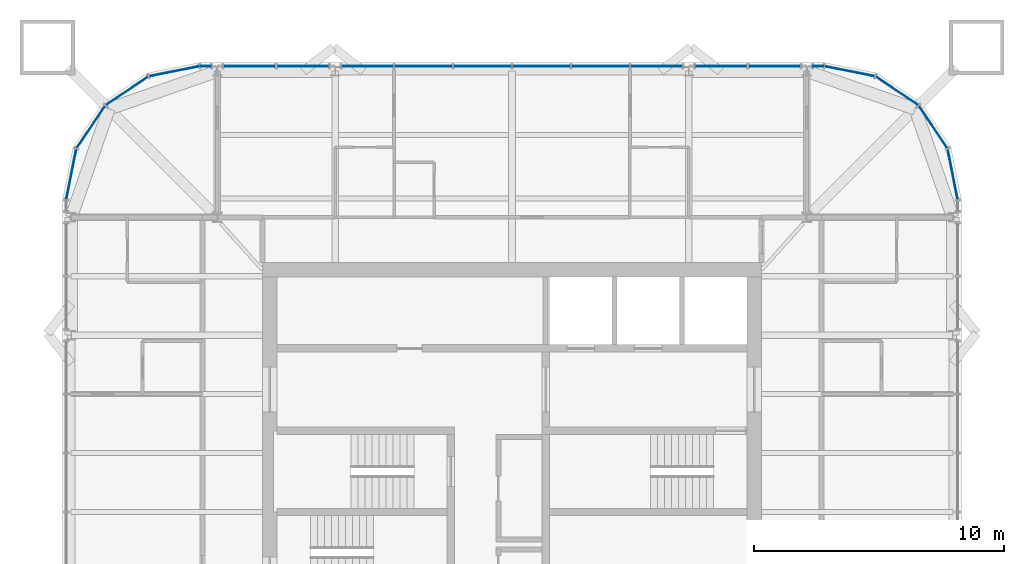
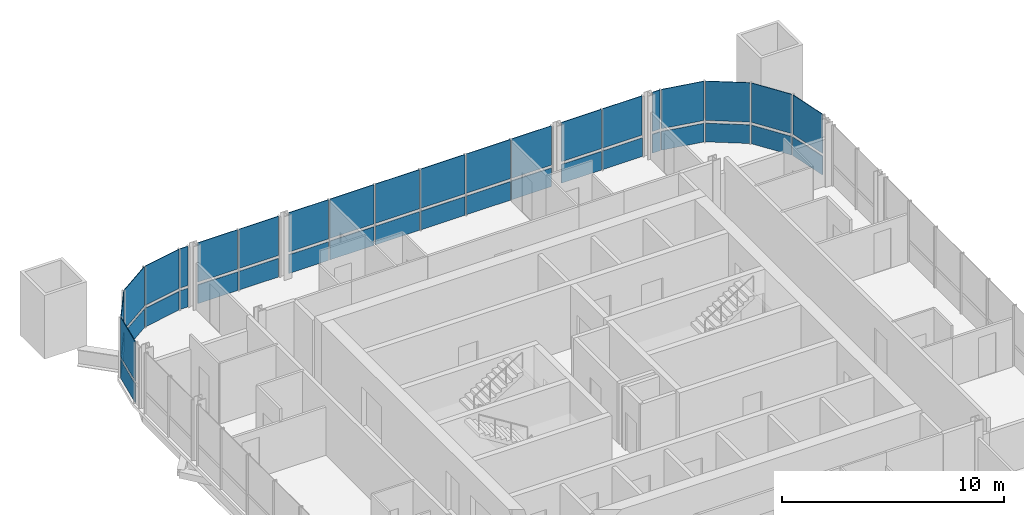
# One storey, part 12 of 17: 40 plates, 7 elements without a shape of their own.
"""IFC4 building model written with IfcOpenShell, lengths in metres."""

from ifc_helpers import new_model, si_unit, direction, frame, origin, origin_2d, place, context, subcontext, project, spatial, rectangle, extrude, material, layer, layer_set, type_object, element, aggregate, save


model = new_model("IFC4")

# Units and contexts
model_context = context("Model", 3, precision=1e-05, world=origin(), true_north=direction((0.0, 1.0)))
body_context = subcontext(model_context, "Body", "Model", "MODEL_VIEW")
ifc_project = project(units=[si_unit("LENGTHUNIT", "METRE"), si_unit("AREAUNIT", "SQUARE_METRE"), si_unit("VOLUMEUNIT", "CUBIC_METRE"), si_unit("PLANEANGLEUNIT", "RADIAN"), si_unit("MASSUNIT", "GRAM", prefix="KILO")], contexts=[model_context])

# Site, building, storey
site_placement = place(None, origin())
site = spatial("IfcSite", under=ifc_project, at=site_placement, CompositionType="ELEMENT")
building_placement = place(site_placement, origin())
building = spatial("IfcBuilding", under=site, at=building_placement, Name="Turquesa Mirador Hotel Tower", CompositionType="ELEMENT")
storey_placement = place(building_placement, frame((0.0, 0.0, 258.199951171875)))
storey = spatial("IfcBuildingStorey", under=building, at=storey_placement, Name="L70", CompositionType="ELEMENT", Elevation=258.199951171875)

# Curtain wall, plates
ifc_material_1 = material(Name="Aluminium extrusion", Category="aluminium")
curtain_wall_type = type_object("IfcCurtainWallType", Name="CW-4 SUITE FRITTED CURTAIN WALL", PredefinedType="USERDEFINED", material=ifc_material_1)
curtain_wall_1_placement = place(storey_placement, origin())
curtain_wall_1 = element("IfcCurtainWall", 1, at=curtain_wall_1_placement, inside=storey, type_object=curtain_wall_type, Name="CW-4 SUITE FRITTED CURTAIN WALL L70", ObjectType="CURTAIN WALL", PredefinedType="USERDEFINED")
ifc_material_2 = material(Name="Ceramic-printed spandrel glass on an insulated back pan", Category="glass")
ifc_layer_1 = layer(ifc_material_2, 0.050048828125)
ifc_layer_set_1 = layer_set([ifc_layer_1], Name="CW PANEL SPANDREL CERAMIC")
plate_type_1 = type_object("IfcPlateType", Name="CW PANEL SPANDREL CERAMIC", PredefinedType="CURTAIN_PANEL", material=ifc_layer_set_1)
plate_1_placement = place(storey_placement, frame((72.646484375, 58.523681640625, 0.0), z_axis=(0.0, 0.0, 1.0), x_axis=(-0.195090585221, 0.980785228048, 0.0)))
plate_1 = element("IfcPlate", 2, at=plate_1_placement, type_object=plate_type_1, Name="Panel", PredefinedType="CURTAIN_PANEL", context=body_context, shape_type="SweptSolid", body=[
    extrude(rectangle(XDim=2.0224609375, YDim=0.050048828125, at=origin_2d()), origin(), (0.0, 0.0, 1.0), 1.02490234375),
])
plate_2_placement = place(storey_placement, frame((71.86279296875, 60.415283203125, 0.0), z_axis=(0.0, 0.0, 1.0), x_axis=(-0.555570141754, 0.831469673284, 0.0)))
plate_2 = element("IfcPlate", 3, at=plate_2_placement, type_object=plate_type_1, Name="Panel", PredefinedType="CURTAIN_PANEL", context=body_context, shape_type="SweptSolid", body=[
    extrude(rectangle(XDim=2.0224609375, YDim=0.050048828125, at=origin_2d()), origin(), (0.0, 0.0, 1.0), 1.02490234375),
])
plate_3_placement = place(storey_placement, frame((70.415283203125, 61.86279296875, 0.0), z_axis=(0.0, 0.0, 1.0), x_axis=(-0.831469673284, 0.555570141754, 0.0)))
plate_3 = element("IfcPlate", 4, at=plate_3_placement, type_object=plate_type_1, Name="Panel", PredefinedType="CURTAIN_PANEL", context=body_context, shape_type="SweptSolid", body=[
    extrude(rectangle(XDim=2.0224609375, YDim=0.050048828125, at=origin_2d()), origin(), (0.0, 0.0, 1.0), 1.02490234375),
])
plate_4_placement = place(storey_placement, frame((68.523681640625, 62.646484375, 0.0), z_axis=(0.0, 0.0, 1.0), x_axis=(-0.980785228048, 0.195090585221, 0.0)))
plate_4 = element("IfcPlate", 5, at=plate_4_placement, type_object=plate_type_1, Name="Panel", PredefinedType="CURTAIN_PANEL", context=body_context, shape_type="SweptSolid", body=[
    extrude(rectangle(XDim=2.0224609375, YDim=0.050048828125, at=origin_2d()), origin(), (0.0, 0.0, 1.0), 1.02490234375),
])

# Curtain wall, plate
curtain_wall_2_placement = place(storey_placement, origin())
curtain_wall_2 = element("IfcCurtainWall", 6, at=curtain_wall_2_placement, inside=storey, type_object=curtain_wall_type, Name="CW-4 SUITE FRITTED CURTAIN WALL L70", ObjectType="CURTAIN WALL", PredefinedType="USERDEFINED")
plate_5_placement = place(storey_placement, frame((67.266845703125, 62.85009765625, 0.0), z_axis=(0.0, 0.0, 1.0), x_axis=(-1.0, 0.0, 0.0)))
plate_5 = element("IfcPlate", 7, at=plate_5_placement, type_object=plate_type_1, Name="Panel", PredefinedType="CURTAIN_PANEL", context=body_context, shape_type="SweptSolid", body=[
    extrude(rectangle(XDim=0.401123046875, YDim=0.050048828125, at=origin_2d()), origin(), (0.0, 0.0, 1.0), 1.02490234375),
])

# Curtain wall, plates
curtain_wall_3_placement = place(storey_placement, origin())
curtain_wall_3 = element("IfcCurtainWall", 8, at=curtain_wall_3_placement, inside=storey, type_object=curtain_wall_type, Name="CW-4 SUITE FRITTED CURTAIN WALL L70", ObjectType="CURTAIN WALL", PredefinedType="USERDEFINED")
plate_6_placement = place(storey_placement, frame((65.503173828125, 62.85009765625, 0.0), z_axis=(0.0, 0.0, 1.0), x_axis=(-1.0, 0.0, 0.0)))
plate_6 = element("IfcPlate", 9, at=plate_6_placement, type_object=plate_type_1, Name="Panel", PredefinedType="CURTAIN_PANEL", context=body_context, shape_type="SweptSolid", body=[
    extrude(rectangle(XDim=2.06103515625, YDim=0.050048828125, at=origin_2d()), origin(), (0.0, 0.0, 1.0), 1.02490234375),
])
plate_7_placement = place(storey_placement, frame((63.376953125, 62.85009765625, 0.0), z_axis=(0.0, 0.0, 1.0), x_axis=(-1.0, 0.0, 0.0)))
plate_7 = element("IfcPlate", 10, at=plate_7_placement, type_object=plate_type_1, Name="Panel", PredefinedType="CURTAIN_PANEL", context=body_context, shape_type="SweptSolid", body=[
    extrude(rectangle(XDim=2.06103515625, YDim=0.050048828125, at=origin_2d()), origin(), (0.0, 0.0, 1.0), 1.02490234375),
])

curtain_wall_4_placement = place(storey_placement, origin())
curtain_wall_4 = element("IfcCurtainWall", 11, at=curtain_wall_4_placement, inside=storey, type_object=curtain_wall_type, Name="CW-4 SUITE FRITTED CURTAIN WALL L70", ObjectType="CURTAIN WALL", PredefinedType="USERDEFINED")
plate_8_placement = place(storey_placement, frame((60.782958984375, 62.85009765625, 0.0), z_axis=(0.0, 0.0, 1.0), x_axis=(-1.0, 0.0, 0.0)))
plate_8 = element("IfcPlate", 12, at=plate_8_placement, type_object=plate_type_1, Name="Panel", PredefinedType="CURTAIN_PANEL", context=body_context, shape_type="SweptSolid", body=[
    extrude(rectangle(XDim=2.06103515625, YDim=0.050048828125, at=origin_2d()), origin(), (0.0, 0.0, 1.0), 1.02490234375),
])
plate_9_placement = place(storey_placement, frame((58.5400390625, 62.85009765625, 0.0), z_axis=(0.0, 0.0, 1.0), x_axis=(-1.0, 0.0, 0.0)))
plate_9 = element("IfcPlate", 13, at=plate_9_placement, type_object=plate_type_1, Name="Panel", PredefinedType="CURTAIN_PANEL", context=body_context, shape_type="SweptSolid", body=[
    extrude(rectangle(XDim=2.294921875, YDim=0.050048828125, at=origin_2d()), origin(), (0.0, 0.0, 1.0), 1.02490234375),
])
plate_10_placement = place(storey_placement, frame((56.179931640625, 62.85009765625, 0.0), z_axis=(0.0, 0.0, 1.0), x_axis=(-1.0, 0.0, 0.0)))
plate_10 = element("IfcPlate", 14, at=plate_10_placement, type_object=plate_type_1, Name="Panel", PredefinedType="CURTAIN_PANEL", context=body_context, shape_type="SweptSolid", body=[
    extrude(rectangle(XDim=2.294921875, YDim=0.050048828125, at=origin_2d()), origin(), (0.0, 0.0, 1.0), 1.02490234375),
])
plate_11_placement = place(storey_placement, frame((53.820068359375, 62.85009765625, 0.0), z_axis=(0.0, 0.0, 1.0), x_axis=(-1.0, 0.0, 0.0)))
plate_11 = element("IfcPlate", 15, at=plate_11_placement, type_object=plate_type_1, Name="Panel", PredefinedType="CURTAIN_PANEL", context=body_context, shape_type="SweptSolid", body=[
    extrude(rectangle(XDim=2.294921875, YDim=0.050048828125, at=origin_2d()), origin(), (0.0, 0.0, 1.0), 1.02490234375),
])
plate_12_placement = place(storey_placement, frame((51.4599609375, 62.85009765625, 0.0), z_axis=(0.0, 0.0, 1.0), x_axis=(-1.0, 0.0, 0.0)))
plate_12 = element("IfcPlate", 16, at=plate_12_placement, type_object=plate_type_1, Name="Panel", PredefinedType="CURTAIN_PANEL", context=body_context, shape_type="SweptSolid", body=[
    extrude(rectangle(XDim=2.294921875, YDim=0.050048828125, at=origin_2d()), origin(), (0.0, 0.0, 1.0), 1.02490234375),
])
plate_13_placement = place(storey_placement, frame((49.217041015625, 62.85009765625, 0.0), z_axis=(0.0, 0.0, 1.0), x_axis=(-1.0, 0.0, 0.0)))
plate_13 = element("IfcPlate", 17, at=plate_13_placement, type_object=plate_type_1, Name="Panel", PredefinedType="CURTAIN_PANEL", context=body_context, shape_type="SweptSolid", body=[
    extrude(rectangle(XDim=2.06103515625, YDim=0.050048828125, at=origin_2d()), origin(), (0.0, 0.0, 1.0), 1.02490234375),
])

curtain_wall_5_placement = place(storey_placement, origin())
curtain_wall_5 = element("IfcCurtainWall", 18, at=curtain_wall_5_placement, inside=storey, type_object=curtain_wall_type, Name="CW-4 SUITE FRITTED CURTAIN WALL L70", ObjectType="CURTAIN WALL", PredefinedType="USERDEFINED")
plate_14_placement = place(storey_placement, frame((46.623046875, 62.85009765625, 0.0), z_axis=(0.0, 0.0, 1.0), x_axis=(-1.0, 0.0, 0.0)))
plate_14 = element("IfcPlate", 19, at=plate_14_placement, type_object=plate_type_1, Name="Panel", PredefinedType="CURTAIN_PANEL", context=body_context, shape_type="SweptSolid", body=[
    extrude(rectangle(XDim=2.06103515625, YDim=0.050048828125, at=origin_2d()), origin(), (0.0, 0.0, 1.0), 1.02490234375),
])
plate_15_placement = place(storey_placement, frame((44.496826171875, 62.85009765625, 0.0), z_axis=(0.0, 0.0, 1.0), x_axis=(-1.0, 0.0, 0.0)))
plate_15 = element("IfcPlate", 20, at=plate_15_placement, type_object=plate_type_1, Name="Panel", PredefinedType="CURTAIN_PANEL", context=body_context, shape_type="SweptSolid", body=[
    extrude(rectangle(XDim=2.06103515625, YDim=0.050048828125, at=origin_2d()), origin(), (0.0, 0.0, 1.0), 1.02490234375),
])

# Curtain wall, plate
curtain_wall_6_placement = place(storey_placement, origin())
curtain_wall_6 = element("IfcCurtainWall", 21, at=curtain_wall_6_placement, inside=storey, type_object=curtain_wall_type, Name="CW-4 SUITE FRITTED CURTAIN WALL L70", ObjectType="CURTAIN WALL", PredefinedType="USERDEFINED")
plate_16_placement = place(storey_placement, frame((42.733154296875, 62.85009765625, 0.0), z_axis=(0.0, 0.0, 1.0), x_axis=(-1.0, 0.0, 0.0)))
plate_16 = element("IfcPlate", 22, at=plate_16_placement, type_object=plate_type_1, Name="Panel", PredefinedType="CURTAIN_PANEL", context=body_context, shape_type="SweptSolid", body=[
    extrude(rectangle(XDim=0.401123046875, YDim=0.050048828125, at=origin_2d()), origin(), (0.0, 0.0, 1.0), 1.02490234375),
])

# Curtain wall, plates
curtain_wall_7_placement = place(storey_placement, origin())
curtain_wall_7 = element("IfcCurtainWall", 23, at=curtain_wall_7_placement, inside=storey, type_object=curtain_wall_type, Name="CW-4 SUITE FRITTED CURTAIN WALL L70", ObjectType="CURTAIN WALL", PredefinedType="USERDEFINED")
plate_17_placement = place(storey_placement, frame((41.476318359375, 62.646484375, 0.0), z_axis=(0.0, 0.0, 1.0), x_axis=(-0.980785228048, -0.195090585221, 0.0)))
plate_17 = element("IfcPlate", 24, at=plate_17_placement, type_object=plate_type_1, Name="Panel", PredefinedType="CURTAIN_PANEL", context=body_context, shape_type="SweptSolid", body=[
    extrude(rectangle(XDim=2.0224609375, YDim=0.050048828125, at=origin_2d()), origin(), (0.0, 0.0, 1.0), 1.02490234375),
])
plate_18_placement = place(storey_placement, frame((39.584716796875, 61.86279296875, 0.0), z_axis=(0.0, 0.0, 1.0), x_axis=(-0.831469673284, -0.555570141754, 0.0)))
plate_18 = element("IfcPlate", 25, at=plate_18_placement, type_object=plate_type_1, Name="Panel", PredefinedType="CURTAIN_PANEL", context=body_context, shape_type="SweptSolid", body=[
    extrude(rectangle(XDim=2.0224609375, YDim=0.050048828125, at=origin_2d()), origin(), (0.0, 0.0, 1.0), 1.02490234375),
])
plate_19_placement = place(storey_placement, frame((38.13720703125, 60.415283203125, 0.0), z_axis=(0.0, 0.0, 1.0), x_axis=(-0.555570141754, -0.831469673284, 0.0)))
plate_19 = element("IfcPlate", 26, at=plate_19_placement, type_object=plate_type_1, Name="Panel", PredefinedType="CURTAIN_PANEL", context=body_context, shape_type="SweptSolid", body=[
    extrude(rectangle(XDim=2.0224609375, YDim=0.050048828125, at=origin_2d()), origin(), (0.0, 0.0, 1.0), 1.02490234375),
])
plate_20_placement = place(storey_placement, frame((37.353515625, 58.523681640625, 0.0), z_axis=(0.0, 0.0, 1.0), x_axis=(-0.195090585221, -0.980785228048, 0.0)))
plate_20 = element("IfcPlate", 27, at=plate_20_placement, type_object=plate_type_1, Name="Panel", PredefinedType="CURTAIN_PANEL", context=body_context, shape_type="SweptSolid", body=[
    extrude(rectangle(XDim=2.0224609375, YDim=0.050048828125, at=origin_2d()), origin(), (0.0, 0.0, 1.0), 1.02490234375),
])

# Plate
ifc_material_3 = material(Name="Ceramic-fritted laminated glass", Category="glass")
ifc_layer_2 = layer(ifc_material_3, 0.031982421875)
ifc_layer_set_2 = layer_set([ifc_layer_2], Name="CW PANEL VISION FRITTED")
plate_type_2 = type_object("IfcPlateType", Name="CW PANEL VISION FRITTED", PredefinedType="CURTAIN_PANEL", material=ifc_layer_set_2)
plate_21_placement = place(storey_placement, frame((72.646484375, 58.523681640625, 1.1748046875), z_axis=(0.0, 0.0, 1.0), x_axis=(-0.195090585221, 0.980785228048, 0.0)))
plate_21 = element("IfcPlate", 28, at=plate_21_placement, type_object=plate_type_2, Name="Panel", PredefinedType="CURTAIN_PANEL", context=body_context, shape_type="SweptSolid", body=[
    extrude(rectangle(XDim=2.0224609375, YDim=0.031982421875, at=origin_2d()), origin(), (0.0, 0.0, 1.0), 2.155029296875),
])

plate_22_placement = place(storey_placement, frame((71.86279296875, 60.415283203125, 1.1748046875), z_axis=(0.0, 0.0, 1.0), x_axis=(-0.555570141754, 0.831469673284, 0.0)))
plate_22 = element("IfcPlate", 29, at=plate_22_placement, type_object=plate_type_2, Name="Panel", PredefinedType="CURTAIN_PANEL", context=body_context, shape_type="SweptSolid", body=[
    extrude(rectangle(XDim=2.0224609375, YDim=0.031982421875, at=origin_2d()), origin(), (0.0, 0.0, 1.0), 2.155029296875),
])

plate_23_placement = place(storey_placement, frame((70.415283203125, 61.86279296875, 1.1748046875), z_axis=(0.0, 0.0, 1.0), x_axis=(-0.831469673284, 0.555570141754, 0.0)))
plate_23 = element("IfcPlate", 30, at=plate_23_placement, type_object=plate_type_2, Name="Panel", PredefinedType="CURTAIN_PANEL", context=body_context, shape_type="SweptSolid", body=[
    extrude(rectangle(XDim=2.0224609375, YDim=0.031982421875, at=origin_2d()), origin(), (0.0, 0.0, 1.0), 2.155029296875),
])

plate_24_placement = place(storey_placement, frame((68.523681640625, 62.646484375, 1.1748046875), z_axis=(0.0, 0.0, 1.0), x_axis=(-0.980785228048, 0.195090585221, 0.0)))
plate_24 = element("IfcPlate", 31, at=plate_24_placement, type_object=plate_type_2, Name="Panel", PredefinedType="CURTAIN_PANEL", context=body_context, shape_type="SweptSolid", body=[
    extrude(rectangle(XDim=2.0224609375, YDim=0.031982421875, at=origin_2d()), origin(), (0.0, 0.0, 1.0), 2.155029296875),
])

aggregate(curtain_wall_1, [plate_1, plate_21, plate_2, plate_22, plate_3, plate_23, plate_4, plate_24])

plate_25_placement = place(storey_placement, frame((67.266845703125, 62.85009765625, 1.1748046875), z_axis=(0.0, 0.0, 1.0), x_axis=(-1.0, 0.0, 0.0)))
plate_25 = element("IfcPlate", 32, at=plate_25_placement, type_object=plate_type_2, Name="Panel", PredefinedType="CURTAIN_PANEL", context=body_context, shape_type="SweptSolid", body=[
    extrude(rectangle(XDim=0.401123046875, YDim=0.031982421875, at=origin_2d()), origin(), (0.0, 0.0, 1.0), 2.155029296875),
])

aggregate(curtain_wall_2, [plate_5, plate_25])

plate_26_placement = place(storey_placement, frame((65.503173828125, 62.85009765625, 1.1748046875), z_axis=(0.0, 0.0, 1.0), x_axis=(-1.0, 0.0, 0.0)))
plate_26 = element("IfcPlate", 33, at=plate_26_placement, type_object=plate_type_2, Name="Panel", PredefinedType="CURTAIN_PANEL", context=body_context, shape_type="SweptSolid", body=[
    extrude(rectangle(XDim=2.06103515625, YDim=0.031982421875, at=origin_2d()), origin(), (0.0, 0.0, 1.0), 2.155029296875),
])

plate_27_placement = place(storey_placement, frame((63.376953125, 62.85009765625, 1.1748046875), z_axis=(0.0, 0.0, 1.0), x_axis=(-1.0, 0.0, 0.0)))
plate_27 = element("IfcPlate", 34, at=plate_27_placement, type_object=plate_type_2, Name="Panel", PredefinedType="CURTAIN_PANEL", context=body_context, shape_type="SweptSolid", body=[
    extrude(rectangle(XDim=2.06103515625, YDim=0.031982421875, at=origin_2d()), origin(), (0.0, 0.0, 1.0), 2.155029296875),
])

aggregate(curtain_wall_3, [plate_6, plate_26, plate_7, plate_27])

plate_28_placement = place(storey_placement, frame((60.782958984375, 62.85009765625, 1.1748046875), z_axis=(0.0, 0.0, 1.0), x_axis=(-1.0, 0.0, 0.0)))
plate_28 = element("IfcPlate", 35, at=plate_28_placement, type_object=plate_type_2, Name="Panel", PredefinedType="CURTAIN_PANEL", context=body_context, shape_type="SweptSolid", body=[
    extrude(rectangle(XDim=2.06103515625, YDim=0.031982421875, at=origin_2d()), origin(), (0.0, 0.0, 1.0), 2.155029296875),
])

plate_29_placement = place(storey_placement, frame((58.5400390625, 62.85009765625, 1.1748046875), z_axis=(0.0, 0.0, 1.0), x_axis=(-1.0, 0.0, 0.0)))
plate_29 = element("IfcPlate", 36, at=plate_29_placement, type_object=plate_type_2, Name="Panel", PredefinedType="CURTAIN_PANEL", context=body_context, shape_type="SweptSolid", body=[
    extrude(rectangle(XDim=2.294921875, YDim=0.031982421875, at=origin_2d()), origin(), (0.0, 0.0, 1.0), 2.155029296875),
])

plate_30_placement = place(storey_placement, frame((56.179931640625, 62.85009765625, 1.1748046875), z_axis=(0.0, 0.0, 1.0), x_axis=(-1.0, 0.0, 0.0)))
plate_30 = element("IfcPlate", 37, at=plate_30_placement, type_object=plate_type_2, Name="Panel", PredefinedType="CURTAIN_PANEL", context=body_context, shape_type="SweptSolid", body=[
    extrude(rectangle(XDim=2.294921875, YDim=0.031982421875, at=origin_2d()), origin(), (0.0, 0.0, 1.0), 2.155029296875),
])

plate_31_placement = place(storey_placement, frame((53.820068359375, 62.85009765625, 1.1748046875), z_axis=(0.0, 0.0, 1.0), x_axis=(-1.0, 0.0, 0.0)))
plate_31 = element("IfcPlate", 38, at=plate_31_placement, type_object=plate_type_2, Name="Panel", PredefinedType="CURTAIN_PANEL", context=body_context, shape_type="SweptSolid", body=[
    extrude(rectangle(XDim=2.294921875, YDim=0.031982421875, at=origin_2d()), origin(), (0.0, 0.0, 1.0), 2.155029296875),
])

plate_32_placement = place(storey_placement, frame((51.4599609375, 62.85009765625, 1.1748046875), z_axis=(0.0, 0.0, 1.0), x_axis=(-1.0, 0.0, 0.0)))
plate_32 = element("IfcPlate", 39, at=plate_32_placement, type_object=plate_type_2, Name="Panel", PredefinedType="CURTAIN_PANEL", context=body_context, shape_type="SweptSolid", body=[
    extrude(rectangle(XDim=2.294921875, YDim=0.031982421875, at=origin_2d()), origin(), (0.0, 0.0, 1.0), 2.155029296875),
])

plate_33_placement = place(storey_placement, frame((49.217041015625, 62.85009765625, 1.1748046875), z_axis=(0.0, 0.0, 1.0), x_axis=(-1.0, 0.0, 0.0)))
plate_33 = element("IfcPlate", 40, at=plate_33_placement, type_object=plate_type_2, Name="Panel", PredefinedType="CURTAIN_PANEL", context=body_context, shape_type="SweptSolid", body=[
    extrude(rectangle(XDim=2.06103515625, YDim=0.031982421875, at=origin_2d()), origin(), (0.0, 0.0, 1.0), 2.155029296875),
])

aggregate(curtain_wall_4, [plate_8, plate_28, plate_9, plate_29, plate_10, plate_30, plate_11, plate_31, plate_12, plate_32, plate_13, plate_33])

plate_34_placement = place(storey_placement, frame((46.623046875, 62.85009765625, 1.1748046875), z_axis=(0.0, 0.0, 1.0), x_axis=(-1.0, 0.0, 0.0)))
plate_34 = element("IfcPlate", 41, at=plate_34_placement, type_object=plate_type_2, Name="Panel", PredefinedType="CURTAIN_PANEL", context=body_context, shape_type="SweptSolid", body=[
    extrude(rectangle(XDim=2.06103515625, YDim=0.031982421875, at=origin_2d()), origin(), (0.0, 0.0, 1.0), 2.155029296875),
])

plate_35_placement = place(storey_placement, frame((44.496826171875, 62.85009765625, 1.1748046875), z_axis=(0.0, 0.0, 1.0), x_axis=(-1.0, 0.0, 0.0)))
plate_35 = element("IfcPlate", 42, at=plate_35_placement, type_object=plate_type_2, Name="Panel", PredefinedType="CURTAIN_PANEL", context=body_context, shape_type="SweptSolid", body=[
    extrude(rectangle(XDim=2.06103515625, YDim=0.031982421875, at=origin_2d()), origin(), (0.0, 0.0, 1.0), 2.155029296875),
])

aggregate(curtain_wall_5, [plate_14, plate_34, plate_15, plate_35])

plate_36_placement = place(storey_placement, frame((42.733154296875, 62.85009765625, 1.1748046875), z_axis=(0.0, 0.0, 1.0), x_axis=(-1.0, 0.0, 0.0)))
plate_36 = element("IfcPlate", 43, at=plate_36_placement, type_object=plate_type_2, Name="Panel", PredefinedType="CURTAIN_PANEL", context=body_context, shape_type="SweptSolid", body=[
    extrude(rectangle(XDim=0.401123046875, YDim=0.031982421875, at=origin_2d()), origin(), (0.0, 0.0, 1.0), 2.155029296875),
])

aggregate(curtain_wall_6, [plate_16, plate_36])

plate_37_placement = place(storey_placement, frame((41.476318359375, 62.646484375, 1.1748046875), z_axis=(0.0, 0.0, 1.0), x_axis=(-0.980785228048, -0.195090585221, 0.0)))
plate_37 = element("IfcPlate", 44, at=plate_37_placement, type_object=plate_type_2, Name="Panel", PredefinedType="CURTAIN_PANEL", context=body_context, shape_type="SweptSolid", body=[
    extrude(rectangle(XDim=2.0224609375, YDim=0.031982421875, at=origin_2d()), origin(), (0.0, 0.0, 1.0), 2.155029296875),
])

plate_38_placement = place(storey_placement, frame((39.584716796875, 61.86279296875, 1.1748046875), z_axis=(0.0, 0.0, 1.0), x_axis=(-0.831469673284, -0.555570141754, 0.0)))
plate_38 = element("IfcPlate", 45, at=plate_38_placement, type_object=plate_type_2, Name="Panel", PredefinedType="CURTAIN_PANEL", context=body_context, shape_type="SweptSolid", body=[
    extrude(rectangle(XDim=2.0224609375, YDim=0.031982421875, at=origin_2d()), origin(), (0.0, 0.0, 1.0), 2.155029296875),
])

plate_39_placement = place(storey_placement, frame((38.13720703125, 60.415283203125, 1.1748046875), z_axis=(0.0, 0.0, 1.0), x_axis=(-0.555570141754, -0.831469673284, 0.0)))
plate_39 = element("IfcPlate", 46, at=plate_39_placement, type_object=plate_type_2, Name="Panel", PredefinedType="CURTAIN_PANEL", context=body_context, shape_type="SweptSolid", body=[
    extrude(rectangle(XDim=2.0224609375, YDim=0.031982421875, at=origin_2d()), origin(), (0.0, 0.0, 1.0), 2.155029296875),
])

plate_40_placement = place(storey_placement, frame((37.353515625, 58.523681640625, 1.1748046875), z_axis=(0.0, 0.0, 1.0), x_axis=(-0.195090585221, -0.980785228048, 0.0)))
plate_40 = element("IfcPlate", 47, at=plate_40_placement, type_object=plate_type_2, Name="Panel", PredefinedType="CURTAIN_PANEL", context=body_context, shape_type="SweptSolid", body=[
    extrude(rectangle(XDim=2.0224609375, YDim=0.031982421875, at=origin_2d()), origin(), (0.0, 0.0, 1.0), 2.155029296875),
])

aggregate(curtain_wall_7, [plate_17, plate_37, plate_18, plate_38, plate_19, plate_39, plate_20, plate_40])

save(model, "model.ifc")
